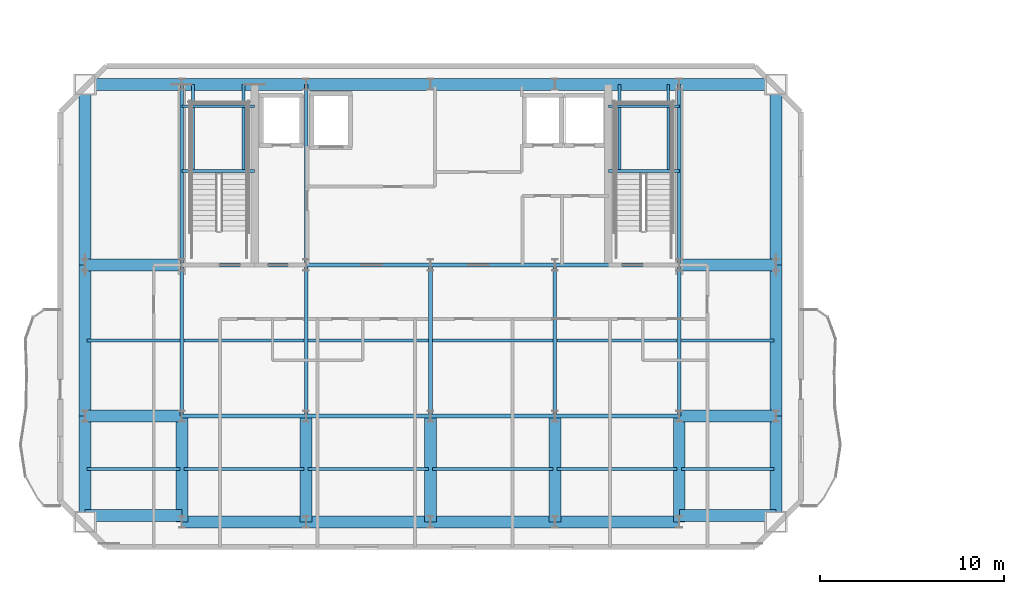
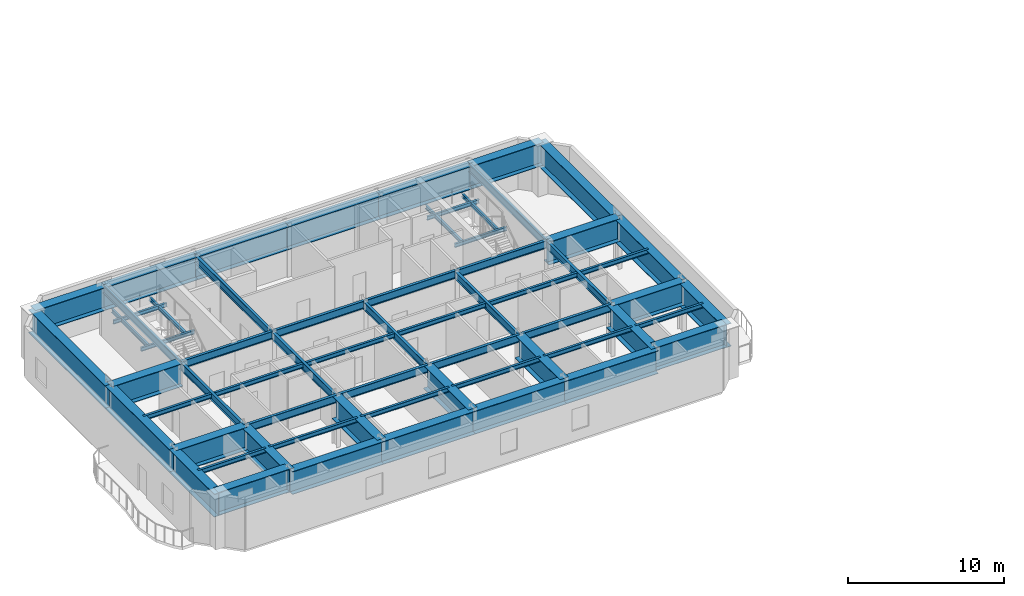
# One storey, part 3 of 16: 63 beams.
"""IFC4 building model written with IfcOpenShell, lengths in metres."""

from ifc_helpers import new_model, si_unit, direction, frame, origin, origin_2d, place, context, subcontext, project, spatial, i_section, extrude, material, material_profile, profile_set, type_object, element, save


model = new_model("IFC4")

# Units and contexts
model_context = context("Model", 3, precision=1e-05, world=origin(), true_north=direction((0.0, 1.0)))
body_context = subcontext(model_context, "Body", "Model", "MODEL_VIEW")
ifc_project = project(units=[si_unit("LENGTHUNIT", "METRE"), si_unit("AREAUNIT", "SQUARE_METRE"), si_unit("VOLUMEUNIT", "CUBIC_METRE"), si_unit("PLANEANGLEUNIT", "RADIAN"), si_unit("MASSUNIT", "GRAM", prefix="KILO")], contexts=[model_context])

# Site, building, storey
site_placement = place(None, origin())
site = spatial("IfcSite", under=ifc_project, at=site_placement, CompositionType="ELEMENT")
building_placement = place(site_placement, origin())
building = spatial("IfcBuilding", under=site, at=building_placement, Name="Haevon Station Towers", CompositionType="ELEMENT")
storey_placement = place(building_placement, frame((0.0, 0.0, 235.199951171875)))
storey = spatial("IfcBuildingStorey", under=building, at=storey_placement, Name="L65", CompositionType="ELEMENT", Elevation=235.199951171875)

# Beams
ifc_material_1 = material(Name="Steel S355", Category="steel")
ifc_material_profile_1 = material_profile(ifc_material_1, i_section(OverallWidth=0.199951171875, OverallDepth=0.60009765625, WebThickness=0.010986328125, FlangeThickness=0.01708984375, at=origin_2d()), Name="H-600x200x11x17")
ifc_profile_set_1 = profile_set([ifc_material_profile_1], Name="Steel S355")
beam_type_1 = type_object("IfcBeamType", Name="BM-G600", PredefinedType="BEAM", material=ifc_profile_set_1)
for number, where, z_axis, x_axis, name in (
    (1, (24.0, 30.0, 3.650146484375), (1.0, 0.0, 0.0), (0.0, 1.0, 0.0), "BM-T1U-L65-02-02"),
    (2, (30.75, 30.0, 3.650146484375), (1.0, 0.0, 0.0), (0.0, 1.0, 0.0), "BM-T1U-L65-02-03"),
    (3, (37.5, 30.0, 3.650146484375), (1.0, 0.0, 0.0), (0.0, 1.0, 0.0), "BM-T1U-L65-02-04"),
    (4, (44.25, 30.0, 3.650146484375), (1.0, 0.0, 0.0), (0.0, 1.0, 0.0), "BM-T1U-L65-02-05"),
    (5, (24.0, 38.199951171875, 3.650146484375), (1.0, 0.0, 0.0), (0.0, 1.0, 0.0), "BM-T1U-L65-03-02"),
    (6, (30.75, 38.199951171875, 3.650146484375), (1.0, 0.0, 0.0), (0.0, 1.0, 0.0), "BM-T1U-L65-03-03"),
    (7, (37.5, 38.199951171875, 3.650146484375), (1.0, 0.0, 0.0), (0.0, 1.0, 0.0), "BM-T1U-L65-03-04"),
    (8, (44.25, 38.199951171875, 3.650146484375), (1.0, 0.0, 0.0), (0.0, 1.0, 0.0), "BM-T1U-L65-03-05"),
):
    element("IfcBeam", number, at=place(storey_placement, frame(where, z_axis=z_axis, x_axis=x_axis)), inside=storey, type_object=beam_type_1, Name=name, PredefinedType="BEAM", context=body_context, shape_type="SweptSolid", body=[
        extrude(i_section(OverallWidth=0.199951171875, OverallDepth=0.60009765625, WebThickness=0.010986328125, FlangeThickness=0.01708984375, at=origin_2d()), origin(), (0.0, 0.0, 1.0), 6.75),
    ])
beam_1_placement = place(storey_placement, frame((24.0, 30.0, 3.650146484375), z_axis=(0.0, 1.0, 0.0), x_axis=(-1.0, 0.0, 0.0)))
element("IfcBeam", 9, at=beam_1_placement, inside=storey, type_object=beam_type_1, Name="BM-T1V-L65-02-02", PredefinedType="BEAM", context=body_context, shape_type="SweptSolid", body=[
    extrude(i_section(OverallWidth=0.199951171875, OverallDepth=0.60009765625, WebThickness=0.010986328125, FlangeThickness=0.01708984375, at=origin_2d()), origin(), (0.0, 0.0, 1.0), 8.199951171875),
])
beam_2_placement = place(storey_placement, frame((24.0, 38.199951171875, 3.650146484375), z_axis=(0.0, 1.0, 0.0), x_axis=(-1.0, 0.0, 0.0)))
element("IfcBeam", 10, at=beam_2_placement, inside=storey, type_object=beam_type_1, Name="BM-T1V-L65-02-03", PredefinedType="BEAM", context=body_context, shape_type="SweptSolid", body=[
    extrude(i_section(OverallWidth=0.199951171875, OverallDepth=0.60009765625, WebThickness=0.010986328125, FlangeThickness=0.01708984375, at=origin_2d()), origin(), (0.0, 0.0, 1.0), 9.800048828125),
])
beam_3_placement = place(storey_placement, frame((30.75, 30.0, 3.650146484375), z_axis=(0.0, 1.0, 0.0), x_axis=(-1.0, 0.0, 0.0)))
element("IfcBeam", 11, at=beam_3_placement, inside=storey, type_object=beam_type_1, Name="BM-T1V-L65-03-02", PredefinedType="BEAM", context=body_context, shape_type="SweptSolid", body=[
    extrude(i_section(OverallWidth=0.199951171875, OverallDepth=0.60009765625, WebThickness=0.010986328125, FlangeThickness=0.01708984375, at=origin_2d()), origin(), (0.0, 0.0, 1.0), 8.199951171875),
])
beam_4_placement = place(storey_placement, frame((30.75, 38.199951171875, 3.650146484375), z_axis=(0.0, 1.0, 0.0), x_axis=(-1.0, 0.0, 0.0)))
element("IfcBeam", 12, at=beam_4_placement, inside=storey, type_object=beam_type_1, Name="BM-T1V-L65-03-03", PredefinedType="BEAM", context=body_context, shape_type="SweptSolid", body=[
    extrude(i_section(OverallWidth=0.199951171875, OverallDepth=0.60009765625, WebThickness=0.010986328125, FlangeThickness=0.01708984375, at=origin_2d()), origin(), (0.0, 0.0, 1.0), 9.800048828125),
])
for number, where, z_axis, x_axis, name in (
    (13, (37.5, 30.0, 3.650146484375), (0.0, 1.0, 0.0), (-1.0, 0.0, 0.0), "BM-T1V-L65-04-02"),
    (14, (44.25, 30.0, 3.650146484375), (0.0, 1.0, 0.0), (-1.0, 0.0, 0.0), "BM-T1V-L65-05-02"),
    (15, (51.0, 30.0, 3.650146484375), (0.0, 1.0, 0.0), (-1.0, 0.0, 0.0), "BM-T1V-L65-06-02"),
):
    element("IfcBeam", number, at=place(storey_placement, frame(where, z_axis=z_axis, x_axis=x_axis)), inside=storey, type_object=beam_type_1, Name=name, PredefinedType="BEAM", context=body_context, shape_type="SweptSolid", body=[
        extrude(i_section(OverallWidth=0.199951171875, OverallDepth=0.60009765625, WebThickness=0.010986328125, FlangeThickness=0.01708984375, at=origin_2d()), origin(), (0.0, 0.0, 1.0), 8.199951171875),
    ])
beam_5_placement = place(storey_placement, frame((51.0, 38.199951171875, 3.650146484375), z_axis=(0.0, 1.0, 0.0), x_axis=(-1.0, 0.0, 0.0)))
element("IfcBeam", 16, at=beam_5_placement, inside=storey, type_object=beam_type_1, Name="BM-T1V-L65-06-03", PredefinedType="BEAM", context=body_context, shape_type="SweptSolid", body=[
    extrude(i_section(OverallWidth=0.199951171875, OverallDepth=0.60009765625, WebThickness=0.010986328125, FlangeThickness=0.01708984375, at=origin_2d()), origin(), (0.0, 0.0, 1.0), 9.800048828125),
])
ifc_material_profile_2 = material_profile(ifc_material_1, i_section(OverallWidth=0.175048828125, OverallDepth=0.35009765625, WebThickness=0.007080078125, FlangeThickness=0.010986328125, at=origin_2d()), Name="H-350x175x7x11")
ifc_profile_set_2 = profile_set([ifc_material_profile_2], Name="Steel S355")
beam_type_2 = type_object("IfcBeamType", Name="BM-J350", PredefinedType="JOIST", material=ifc_profile_set_2)
beam_6_placement = place(storey_placement, frame((18.860107421875, 27.125, 3.775146484375), z_axis=(1.0, 0.0, 0.0), x_axis=(0.0, 1.0, 0.0)))
element("IfcBeam", 17, at=beam_6_placement, inside=storey, type_object=beam_type_2, Name="BM-T1J-L65-01-01", PredefinedType="JOIST", context=body_context, shape_type="SweptSolid", body=[
    extrude(i_section(OverallWidth=0.175048828125, OverallDepth=0.35009765625, WebThickness=0.007080078125, FlangeThickness=0.010986328125, at=origin_2d()), origin(), (0.0, 0.0, 1.0), 5.02978515625),
])
for number, where, z_axis, x_axis, name in (
    (18, (24.110107421875, 27.125, 3.775146484375), (1.0, 0.0, 0.0), (0.0, 1.0, 0.0), "BM-T1J-L65-01-02"),
    (19, (30.860107421875, 27.125, 3.775146484375), (1.0, 0.0, 0.0), (0.0, 1.0, 0.0), "BM-T1J-L65-01-03"),
    (20, (37.610107421875, 27.125, 3.775146484375), (1.0, 0.0, 0.0), (0.0, 1.0, 0.0), "BM-T1J-L65-01-04"),
    (21, (44.360107421875, 27.125, 3.775146484375), (1.0, 0.0, 0.0), (0.0, 1.0, 0.0), "BM-T1J-L65-01-05"),
):
    element("IfcBeam", number, at=place(storey_placement, frame(where, z_axis=z_axis, x_axis=x_axis)), inside=storey, type_object=beam_type_2, Name=name, PredefinedType="JOIST", context=body_context, shape_type="SweptSolid", body=[
        extrude(i_section(OverallWidth=0.175048828125, OverallDepth=0.35009765625, WebThickness=0.007080078125, FlangeThickness=0.010986328125, at=origin_2d()), origin(), (0.0, 0.0, 1.0), 6.52978515625),
    ])
for number, where, z_axis, x_axis, name in (
    (22, (51.110107421875, 27.125, 3.775146484375), (1.0, 0.0, 0.0), (0.0, 1.0, 0.0), "BM-T1J-L65-01-06"),
    (23, (18.860107421875, 34.10009765625, 3.775146484375), (1.0, 0.0, 0.0), (0.0, 1.0, 0.0), "BM-T1J-L65-02-01"),
):
    element("IfcBeam", number, at=place(storey_placement, frame(where, z_axis=z_axis, x_axis=x_axis)), inside=storey, type_object=beam_type_2, Name=name, PredefinedType="JOIST", context=body_context, shape_type="SweptSolid", body=[
        extrude(i_section(OverallWidth=0.175048828125, OverallDepth=0.35009765625, WebThickness=0.007080078125, FlangeThickness=0.010986328125, at=origin_2d()), origin(), (0.0, 0.0, 1.0), 5.02978515625),
    ])
for number, where, z_axis, x_axis, name in (
    (24, (24.110107421875, 34.10009765625, 3.775146484375), (1.0, 0.0, 0.0), (0.0, 1.0, 0.0), "BM-T1J-L65-02-02"),
    (25, (30.860107421875, 34.10009765625, 3.775146484375), (1.0, 0.0, 0.0), (0.0, 1.0, 0.0), "BM-T1J-L65-02-03"),
    (26, (37.610107421875, 34.10009765625, 3.775146484375), (1.0, 0.0, 0.0), (0.0, 1.0, 0.0), "BM-T1J-L65-02-04"),
    (27, (44.360107421875, 34.10009765625, 3.775146484375), (1.0, 0.0, 0.0), (0.0, 1.0, 0.0), "BM-T1J-L65-02-05"),
):
    element("IfcBeam", number, at=place(storey_placement, frame(where, z_axis=z_axis, x_axis=x_axis)), inside=storey, type_object=beam_type_2, Name=name, PredefinedType="JOIST", context=body_context, shape_type="SweptSolid", body=[
        extrude(i_section(OverallWidth=0.175048828125, OverallDepth=0.35009765625, WebThickness=0.007080078125, FlangeThickness=0.010986328125, at=origin_2d()), origin(), (0.0, 0.0, 1.0), 6.52978515625),
    ])
beam_7_placement = place(storey_placement, frame((51.110107421875, 34.10009765625, 3.775146484375), z_axis=(1.0, 0.0, 0.0), x_axis=(0.0, 1.0, 0.0)))
element("IfcBeam", 28, at=beam_7_placement, inside=storey, type_object=beam_type_2, Name="BM-T1J-L65-02-06", PredefinedType="JOIST", context=body_context, shape_type="SweptSolid", body=[
    extrude(i_section(OverallWidth=0.175048828125, OverallDepth=0.35009765625, WebThickness=0.007080078125, FlangeThickness=0.010986328125, at=origin_2d()), origin(), (0.0, 0.0, 1.0), 5.02978515625),
])
ifc_material_profile_3 = material_profile(ifc_material_1, i_section(OverallWidth=0.14990234375, OverallDepth=0.300048828125, WebThickness=0.006591796875, FlangeThickness=0.009033203125, at=origin_2d()), Name="H-300x150x6.5x9")
ifc_profile_set_3 = profile_set([ifc_material_profile_3], Name="Steel S355")
beam_type_3 = type_object("IfcBeamType", Name="BM-LIN300", PredefinedType="LINTEL", material=ifc_profile_set_3)
for number, where, z_axis, x_axis, name in (
    (29, (24.0, 43.303955078125, 1.75), (1.0, 0.0, 0.0), (0.0, 1.0, 0.0), "BM-ST1L-L65-1-S"),
    (30, (24.0, 46.820068359375, 1.75), (1.0, 0.0, 0.0), (0.0, 1.0, 0.0), "BM-ST1L-L65-1-N"),
):
    element("IfcBeam", number, at=place(storey_placement, frame(where, z_axis=z_axis, x_axis=x_axis)), inside=storey, type_object=beam_type_3, Name=name, PredefinedType="LINTEL", context=body_context, shape_type="SweptSolid", body=[
        extrude(i_section(OverallWidth=0.14990234375, OverallDepth=0.300048828125, WebThickness=0.006591796875, FlangeThickness=0.009033203125, at=origin_2d()), origin(), (0.0, 0.0, 1.0), 3.949951171875),
    ])
for number, where, z_axis, x_axis, name in (
    (31, (24.60009765625, 43.303955078125, 1.75), (0.0, 1.0, 0.0), (-1.0, 0.0, 0.0), "BM-ST1L-L65-1-W"),
    (32, (27.35009765625, 43.303955078125, 1.75), (0.0, 1.0, 0.0), (-1.0, 0.0, 0.0), "BM-ST1L-L65-1-E"),
):
    element("IfcBeam", number, at=place(storey_placement, frame(where, z_axis=z_axis, x_axis=x_axis)), inside=storey, type_object=beam_type_3, Name=name, PredefinedType="LINTEL", context=body_context, shape_type="SweptSolid", body=[
        extrude(i_section(OverallWidth=0.14990234375, OverallDepth=0.300048828125, WebThickness=0.006591796875, FlangeThickness=0.009033203125, at=origin_2d()), origin(), (0.0, 0.0, 1.0), 4.696044921875),
    ])
for number, where, z_axis, x_axis, name in (
    (33, (47.14990234375, 43.303955078125, 1.75), (1.0, 0.0, 0.0), (0.0, 1.0, 0.0), "BM-ST2L-L65-1-S"),
    (34, (47.14990234375, 46.820068359375, 1.75), (1.0, 0.0, 0.0), (0.0, 1.0, 0.0), "BM-ST2L-L65-1-N"),
):
    element("IfcBeam", number, at=place(storey_placement, frame(where, z_axis=z_axis, x_axis=x_axis)), inside=storey, type_object=beam_type_3, Name=name, PredefinedType="LINTEL", context=body_context, shape_type="SweptSolid", body=[
        extrude(i_section(OverallWidth=0.14990234375, OverallDepth=0.300048828125, WebThickness=0.006591796875, FlangeThickness=0.009033203125, at=origin_2d()), origin(), (0.0, 0.0, 1.0), 3.85009765625),
    ])
for number, where, z_axis, x_axis, name in (
    (35, (47.75, 43.303955078125, 1.75), (0.0, 1.0, 0.0), (-1.0, 0.0, 0.0), "BM-ST2L-L65-1-W"),
    (36, (50.39990234375, 43.303955078125, 1.75), (0.0, 1.0, 0.0), (-1.0, 0.0, 0.0), "BM-ST2L-L65-1-E"),
):
    element("IfcBeam", number, at=place(storey_placement, frame(where, z_axis=z_axis, x_axis=x_axis)), inside=storey, type_object=beam_type_3, Name=name, PredefinedType="LINTEL", context=body_context, shape_type="SweptSolid", body=[
        extrude(i_section(OverallWidth=0.14990234375, OverallDepth=0.300048828125, WebThickness=0.006591796875, FlangeThickness=0.009033203125, at=origin_2d()), origin(), (0.0, 0.0, 1.0), 4.696044921875),
    ])
ifc_material_2 = material(Name="Steel S460", Category="steel")
ifc_material_profile_4 = material_profile(ifc_material_2, i_section(OverallWidth=0.64990234375, OverallDepth=1.800048828125, WebThickness=0.02490234375, FlangeThickness=0.0400390625, at=origin_2d()), Name="H-1800x650x25x40")
ifc_profile_set_4 = profile_set([ifc_material_profile_4], Name="Steel S460")
beam_type_4 = type_object("IfcBeamType", Name="BM-TG1800", PredefinedType="BEAM", material=ifc_profile_set_4)
for number, where, z_axis, x_axis, name in (
    (37, (24.0, 24.25, 3.050048828125), (1.0, 0.0, 0.0), (0.0, 1.0, 0.0), "BM-T1U-L65-01-02"),
    (38, (30.75, 24.25, 3.050048828125), (1.0, 0.0, 0.0), (0.0, 1.0, 0.0), "BM-T1U-L65-01-03"),
    (39, (37.5, 24.25, 3.050048828125), (1.0, 0.0, 0.0), (0.0, 1.0, 0.0), "BM-T1U-L65-01-04"),
    (40, (44.25, 24.25, 3.050048828125), (1.0, 0.0, 0.0), (0.0, 1.0, 0.0), "BM-T1U-L65-01-05"),
):
    element("IfcBeam", number, at=place(storey_placement, frame(where, z_axis=z_axis, x_axis=x_axis)), inside=storey, type_object=beam_type_4, Name=name, PredefinedType="BEAM", context=body_context, shape_type="SweptSolid", body=[
        extrude(i_section(OverallWidth=0.64990234375, OverallDepth=1.800048828125, WebThickness=0.02490234375, FlangeThickness=0.0400390625, at=origin_2d()), origin(), (0.0, 0.0, 1.0), 6.75),
    ])
for number, where, z_axis, x_axis, name in (
    (41, (18.75, 30.0, 3.050048828125), (1.0, 0.0, 0.0), (0.0, 1.0, 0.0), "BM-T1U-L65-02-01"),
    (42, (51.0, 30.0, 3.050048828125), (1.0, 0.0, 0.0), (0.0, 1.0, 0.0), "BM-T1U-L65-02-06"),
    (43, (18.75, 38.199951171875, 3.050048828125), (1.0, 0.0, 0.0), (0.0, 1.0, 0.0), "BM-T1U-L65-03-01"),
    (44, (51.0, 38.199951171875, 3.050048828125), (1.0, 0.0, 0.0), (0.0, 1.0, 0.0), "BM-T1U-L65-03-06"),
    (45, (18.75, 48.0, 3.050048828125), (1.0, 0.0, 0.0), (0.0, 1.0, 0.0), "BM-T1U-L65-04-01"),
):
    element("IfcBeam", number, at=place(storey_placement, frame(where, z_axis=z_axis, x_axis=x_axis)), inside=storey, type_object=beam_type_4, Name=name, PredefinedType="BEAM", context=body_context, shape_type="SweptSolid", body=[
        extrude(i_section(OverallWidth=0.64990234375, OverallDepth=1.800048828125, WebThickness=0.02490234375, FlangeThickness=0.0400390625, at=origin_2d()), origin(), (0.0, 0.0, 1.0), 5.25),
    ])
for number, where, z_axis, x_axis, name in (
    (46, (24.0, 48.0, 3.050048828125), (1.0, 0.0, 0.0), (0.0, 1.0, 0.0), "BM-T1U-L65-04-02"),
    (47, (30.75, 48.0, 3.050048828125), (1.0, 0.0, 0.0), (0.0, 1.0, 0.0), "BM-T1U-L65-04-03"),
    (48, (37.5, 48.0, 3.050048828125), (1.0, 0.0, 0.0), (0.0, 1.0, 0.0), "BM-T1U-L65-04-04"),
    (49, (44.25, 48.0, 3.050048828125), (1.0, 0.0, 0.0), (0.0, 1.0, 0.0), "BM-T1U-L65-04-05"),
):
    element("IfcBeam", number, at=place(storey_placement, frame(where, z_axis=z_axis, x_axis=x_axis)), inside=storey, type_object=beam_type_4, Name=name, PredefinedType="BEAM", context=body_context, shape_type="SweptSolid", body=[
        extrude(i_section(OverallWidth=0.64990234375, OverallDepth=1.800048828125, WebThickness=0.02490234375, FlangeThickness=0.0400390625, at=origin_2d()), origin(), (0.0, 0.0, 1.0), 6.75),
    ])
beam_8_placement = place(storey_placement, frame((51.0, 48.0, 3.050048828125), z_axis=(1.0, 0.0, 0.0), x_axis=(0.0, 1.0, 0.0)))
element("IfcBeam", 50, at=beam_8_placement, inside=storey, type_object=beam_type_4, Name="BM-T1U-L65-04-06", PredefinedType="BEAM", context=body_context, shape_type="SweptSolid", body=[
    extrude(i_section(OverallWidth=0.64990234375, OverallDepth=1.800048828125, WebThickness=0.02490234375, FlangeThickness=0.0400390625, at=origin_2d()), origin(), (0.0, 0.0, 1.0), 5.25),
])
beam_9_placement = place(storey_placement, frame((18.75, 24.25, 3.050048828125), z_axis=(0.0, 1.0, 0.0), x_axis=(-1.0, 0.0, 0.0)))
element("IfcBeam", 51, at=beam_9_placement, inside=storey, type_object=beam_type_4, Name="BM-T1V-L65-01-01", PredefinedType="BEAM", context=body_context, shape_type="SweptSolid", body=[
    extrude(i_section(OverallWidth=0.64990234375, OverallDepth=1.800048828125, WebThickness=0.02490234375, FlangeThickness=0.0400390625, at=origin_2d()), origin(), (0.0, 0.0, 1.0), 5.75),
])
beam_10_placement = place(storey_placement, frame((18.75, 30.0, 3.050048828125), z_axis=(0.0, 1.0, 0.0), x_axis=(-1.0, 0.0, 0.0)))
element("IfcBeam", 52, at=beam_10_placement, inside=storey, type_object=beam_type_4, Name="BM-T1V-L65-01-02", PredefinedType="BEAM", context=body_context, shape_type="SweptSolid", body=[
    extrude(i_section(OverallWidth=0.64990234375, OverallDepth=1.800048828125, WebThickness=0.02490234375, FlangeThickness=0.0400390625, at=origin_2d()), origin(), (0.0, 0.0, 1.0), 8.199951171875),
])
beam_11_placement = place(storey_placement, frame((18.75, 38.199951171875, 3.050048828125), z_axis=(0.0, 1.0, 0.0), x_axis=(-1.0, 0.0, 0.0)))
element("IfcBeam", 53, at=beam_11_placement, inside=storey, type_object=beam_type_4, Name="BM-T1V-L65-01-03", PredefinedType="BEAM", context=body_context, shape_type="SweptSolid", body=[
    extrude(i_section(OverallWidth=0.64990234375, OverallDepth=1.800048828125, WebThickness=0.02490234375, FlangeThickness=0.0400390625, at=origin_2d()), origin(), (0.0, 0.0, 1.0), 9.800048828125),
])
for number, where, z_axis, x_axis, name in (
    (54, (24.0, 24.25, 3.050048828125), (0.0, 1.0, 0.0), (-1.0, 0.0, 0.0), "BM-T1V-L65-02-01"),
    (55, (30.75, 24.25, 3.050048828125), (0.0, 1.0, 0.0), (-1.0, 0.0, 0.0), "BM-T1V-L65-03-01"),
    (56, (37.5, 24.25, 3.050048828125), (0.0, 1.0, 0.0), (-1.0, 0.0, 0.0), "BM-T1V-L65-04-01"),
    (57, (44.25, 24.25, 3.050048828125), (0.0, 1.0, 0.0), (-1.0, 0.0, 0.0), "BM-T1V-L65-05-01"),
    (58, (51.0, 24.25, 3.050048828125), (0.0, 1.0, 0.0), (-1.0, 0.0, 0.0), "BM-T1V-L65-06-01"),
    (59, (56.25, 24.25, 3.050048828125), (0.0, 1.0, 0.0), (-1.0, 0.0, 0.0), "BM-T1V-L65-07-01"),
):
    element("IfcBeam", number, at=place(storey_placement, frame(where, z_axis=z_axis, x_axis=x_axis)), inside=storey, type_object=beam_type_4, Name=name, PredefinedType="BEAM", context=body_context, shape_type="SweptSolid", body=[
        extrude(i_section(OverallWidth=0.64990234375, OverallDepth=1.800048828125, WebThickness=0.02490234375, FlangeThickness=0.0400390625, at=origin_2d()), origin(), (0.0, 0.0, 1.0), 5.75),
    ])
beam_12_placement = place(storey_placement, frame((56.25, 30.0, 3.050048828125), z_axis=(0.0, 1.0, 0.0), x_axis=(-1.0, 0.0, 0.0)))
element("IfcBeam", 60, at=beam_12_placement, inside=storey, type_object=beam_type_4, Name="BM-T1V-L65-07-02", PredefinedType="BEAM", context=body_context, shape_type="SweptSolid", body=[
    extrude(i_section(OverallWidth=0.64990234375, OverallDepth=1.800048828125, WebThickness=0.02490234375, FlangeThickness=0.0400390625, at=origin_2d()), origin(), (0.0, 0.0, 1.0), 8.199951171875),
])
beam_13_placement = place(storey_placement, frame((56.25, 38.199951171875, 3.050048828125), z_axis=(0.0, 1.0, 0.0), x_axis=(-1.0, 0.0, 0.0)))
element("IfcBeam", 61, at=beam_13_placement, inside=storey, type_object=beam_type_4, Name="BM-T1V-L65-07-03", PredefinedType="BEAM", context=body_context, shape_type="SweptSolid", body=[
    extrude(i_section(OverallWidth=0.64990234375, OverallDepth=1.800048828125, WebThickness=0.02490234375, FlangeThickness=0.0400390625, at=origin_2d()), origin(), (0.0, 0.0, 1.0), 9.800048828125),
])
for number, where, z_axis, x_axis, name in (
    (62, (18.75, 24.60009765625, 3.050048828125), (1.0, 0.0, 0.0), (0.0, 1.0, 0.0), "BM-T1CTRN-L65-1"),
    (63, (51.0, 24.60009765625, 3.050048828125), (1.0, 0.0, 0.0), (0.0, 1.0, 0.0), "BM-T1CTRN-L65-2"),
):
    element("IfcBeam", number, at=place(storey_placement, frame(where, z_axis=z_axis, x_axis=x_axis)), inside=storey, type_object=beam_type_4, Name=name, PredefinedType="BEAM", context=body_context, shape_type="SweptSolid", body=[
        extrude(i_section(OverallWidth=0.64990234375, OverallDepth=1.800048828125, WebThickness=0.02490234375, FlangeThickness=0.0400390625, at=origin_2d()), origin(), (0.0, 0.0, 1.0), 5.25),
    ])

save(model, "model.ifc")
